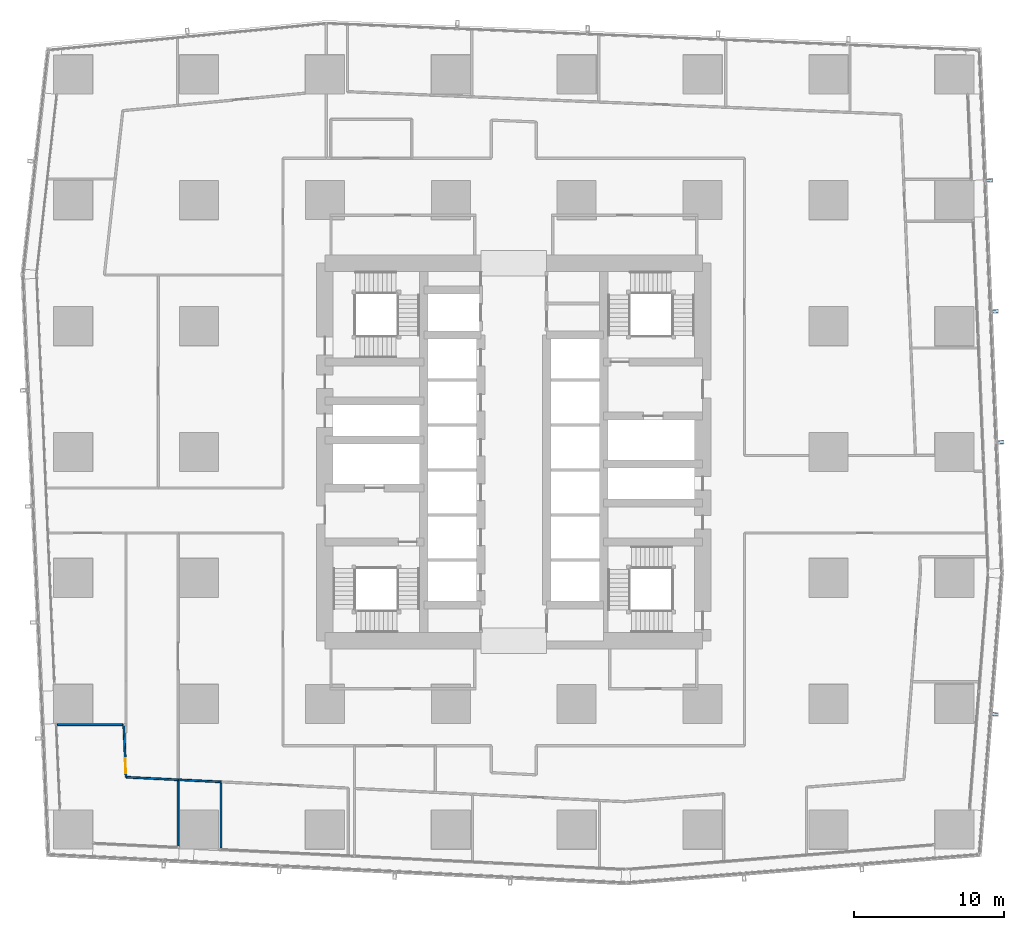
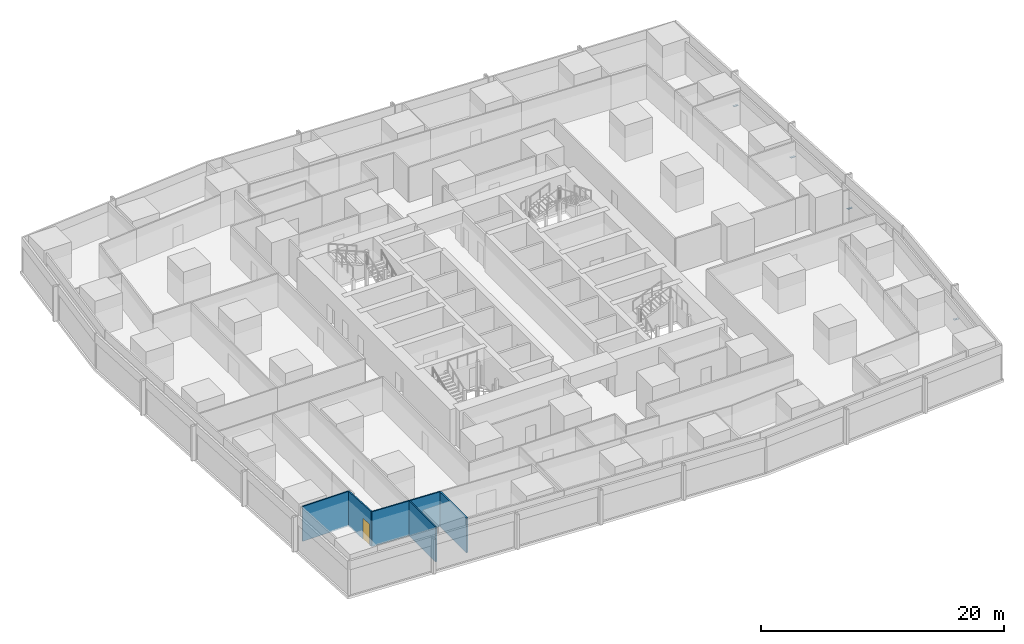
# One storey, part 33 of 46: 6 walls, 4 plates, 1 door, 1 opening.
"""IFC4 building model written with IfcOpenShell, lengths in metres."""

import ifcopenshell
import ifcopenshell.guid

model = None  # the IFC model being written
_history = None  # IfcOwnerHistory: only IFC2X3 demands one
_inside = {}  # id of a spatial element -> (the spatial element, [elements in it])
_under = {}  # id of a project, library or spatial element -> (it, [spatial elements below it])
_declared = {}  # id of a project -> (the project, [libraries it declares])
_typed = {}  # id of a type object -> (the type object, [elements of that type])
_made_of = {}  # id of a material, layer set ... -> (it, [elements and type objects made of it])


def new_model(schema):
    """Start an empty IFC model of exactly this schema.

    Asked for "IFC4X3", IfcOpenShell would pick the latest addendum, in which some entities
    have other attributes; the version numbers below select the first issue.
    IFC2X3 requires an IfcOwnerHistory on every rooted entity: one is made here for all.
    """
    global model, _history
    if schema == "IFC4X3":
        model = ifcopenshell.file(schema_version=(4, 3, 0, 0))
    else:
        model = ifcopenshell.file(schema=schema)
    _inside.clear()
    _under.clear()
    _declared.clear()
    _typed.clear()
    _made_of.clear()
    _history = None
    if model.schema == "IFC2X3":
        org = make("IfcOrganization", Name="unknown")
        user = make(
            "IfcPersonAndOrganization",
            ThePerson=make("IfcPerson", FamilyName="unknown"),
            TheOrganization=org,
        )
        app = make(
            "IfcApplication",
            ApplicationDeveloper=org,
            Version="unknown",
            ApplicationFullName="unknown",
            ApplicationIdentifier="unknown",
        )
        _history = make(
            "IfcOwnerHistory",
            OwningUser=user,
            OwningApplication=app,
            ChangeAction="ADDED",
            CreationDate=0,
        )
    return model


def make(cls, **values):
    """One entity of the class cls with the attributes given. An attribute that is None is left unset."""
    return model.create_entity(
        cls, **{name: value for name, value in values.items() if value is not None}
    )


def rooted(cls, **values):
    """An entity with a GlobalId (a new one), such as an element, a storey or a relation."""
    return make(cls, GlobalId=ifcopenshell.guid.new(), OwnerHistory=_history, **values)


def si_unit(unit_type, name, prefix=None):
    """IfcSIUnit, for example si_unit("LENGTHUNIT", "METRE", prefix="MILLI")."""
    return make("IfcSIUnit", UnitType=unit_type, Prefix=prefix, Name=name)


def assignment(units):
    """IfcUnitAssignment: the units of a project."""
    return None if units is None else make("IfcUnitAssignment", Units=units)


def point(xyz):
    """IfcCartesianPoint."""
    return None if xyz is None else make("IfcCartesianPoint", Coordinates=xyz)


def direction(xyz):
    """IfcDirection."""
    return None if xyz is None else make("IfcDirection", DirectionRatios=xyz)


def frame(location, z_axis=None, x_axis=None):
    """IfcAxis2Placement3D, a coordinate frame: its origin and axes. An axis left out is left unset."""
    return make(
        "IfcAxis2Placement3D",
        Location=point(location),
        Axis=direction(z_axis),
        RefDirection=direction(x_axis),
    )


def frame_2d(location, x_axis=None):
    """IfcAxis2Placement2D, a coordinate frame in the plane: its origin and x axis."""
    return make(
        "IfcAxis2Placement2D", Location=point(location), RefDirection=direction(x_axis)
    )


def origin():
    """The frame at (0, 0, 0) with its axes left unset."""
    return frame((0.0, 0.0, 0.0))


def origin_2d():
    """The frame at (0, 0) in the plane with its x axis left unset."""
    return frame_2d((0.0, 0.0))


def place(relative_to, where):
    """IfcLocalPlacement: puts the frame where relative to a parent placement (None: the world)."""
    return make(
        "IfcLocalPlacement", PlacementRelTo=relative_to, RelativePlacement=where
    )


def context(
    kind, dimensions, precision=None, world=None, true_north=None, identifier=None
):
    """IfcGeometricRepresentationContext, for example the 3D "Model" context."""
    return make(
        "IfcGeometricRepresentationContext",
        ContextIdentifier=identifier,
        ContextType=kind,
        CoordinateSpaceDimension=dimensions,
        Precision=precision,
        WorldCoordinateSystem=world,
        TrueNorth=true_north,
    )


def subcontext(parent, identifier, kind, view, scale=None):
    """IfcGeometricRepresentationSubContext, for example "Body" below "Model"."""
    return make(
        "IfcGeometricRepresentationSubContext",
        ContextIdentifier=identifier,
        ContextType=kind,
        ParentContext=parent,
        TargetScale=scale,
        TargetView=view,
    )


def project(units=None, contexts=None):
    """IfcProject with its units and contexts."""
    return rooted(
        "IfcProject",
        Name="project",
        RepresentationContexts=contexts,
        UnitsInContext=assignment(units),
    )


def spatial(cls, under=None, at=None, **own):
    """A site, building, storey or space (cls), placed at a placement, below another one or the project."""
    s = rooted(cls, ObjectPlacement=at, **own)
    if under is not None:
        _under.setdefault(under.id(), (under, []))[1].append(s)
    return s


def profile(cls, at=None, kind="AREA", **sizes):
    """A parametric profile (cls). Its sizes go by their IFC names, for example OverallWidth=200.0."""
    return make(cls, ProfileType=kind, Position=at, **sizes)


def rectangle(**sizes):
    """IfcRectangleProfileDef."""
    return profile("IfcRectangleProfileDef", **sizes)


def extrude(swept, where, along, depth):
    """IfcExtrudedAreaSolid: the profile swept, set in the frame where, extruded along a direction by depth."""
    return make(
        "IfcExtrudedAreaSolid",
        SweptArea=swept,
        Position=where,
        ExtrudedDirection=direction(along),
        Depth=depth,
    )


def shape(context_of_items, identifier, shape_type, items):
    """IfcShapeRepresentation: the items that make up one representation, for example the "Body"."""
    return make(
        "IfcShapeRepresentation",
        ContextOfItems=context_of_items,
        RepresentationIdentifier=identifier,
        RepresentationType=shape_type,
        Items=items,
    )


def material(Name=None, Category=None):
    """IfcMaterial."""
    return make("IfcMaterial", Name=Name, Category=Category)


def layer(
    of_material, thickness, ventilated=None, Name=None, Category=None, Priority=None
):
    """IfcMaterialLayer: one layer of a wall or slab, of a material (None: an air gap)."""
    return make(
        "IfcMaterialLayer",
        Material=of_material,
        LayerThickness=thickness,
        IsVentilated=ventilated,
        Name=Name,
        Category=Category,
        Priority=Priority,
    )


def layer_set(layers, Name=None):
    """IfcMaterialLayerSet."""
    return make("IfcMaterialLayerSet", MaterialLayers=layers, LayerSetName=Name)


def made_of(thing, what):
    """Note that an element or type object is made of a material, layer set ...; save() writes the relation."""
    if what is not None:
        _made_of.setdefault(what.id(), (what, []))[1].append(thing)
    return thing


def type_object(cls, material=None, **own):
    """A type object (cls), such as IfcWallType, which elements share."""
    return made_of(rooted(cls, **own), material)


def element(
    cls,
    number,
    at=None,
    inside=None,
    cuts=None,
    type_object=None,
    material=None,
    context=None,
    identifier="Body",
    shape_type=None,
    held_by="IfcProductDefinitionShape",
    body=None,
    shapes=None,
    **own,
):
    """One element of the class cls, such as IfcWall. Its Tag is "e" and its number.

    at: its placement. inside: the storey or other place that contains it. cuts: it is an
    opening in that element (IfcRelVoidsElement). A single representation is given by context,
    identifier, shape_type and body (its items); several are given by shapes. held_by: the class
    of the entity that holds the representations. save() writes the other relations.
    """
    e = rooted(cls, Tag="e%d" % number, ObjectPlacement=at, **own)
    if body is not None:
        shapes = [shape(context, identifier, shape_type, body)]
    if shapes is not None:
        e.Representation = make(held_by, Representations=shapes)
    if inside is not None:
        _inside.setdefault(inside.id(), (inside, []))[1].append(e)
    if cuts is not None:
        rooted(
            "IfcRelVoidsElement", RelatingBuildingElement=cuts, RelatedOpeningElement=e
        )
    if type_object is not None:
        _typed.setdefault(type_object.id(), (type_object, []))[1].append(e)
    return made_of(e, material)


def fill(opening, filler):
    """IfcRelFillsElement: the door or window that sits in an opening."""
    return rooted(
        "IfcRelFillsElement",
        RelatingOpeningElement=opening,
        RelatedBuildingElement=filler,
    )


def aggregate(whole, parts):
    """IfcRelAggregates: a whole, such as a stair, and the parts it consists of."""
    return rooted("IfcRelAggregates", RelatingObject=whole, RelatedObjects=parts)


def save(model, path):
    """Write the relations noted so far, then the file.

    IfcRelAggregates (storeys below a building ...), IfcRelContainedInSpatialStructure (elements
    in a storey), IfcRelDefinesByType, IfcRelAssociatesMaterial and IfcRelDeclares: one each for
    every whole, place, type object, material and project.
    """
    for whole, parts in _under.values():
        aggregate(whole, parts)
    for where, things in _inside.values():
        rooted(
            "IfcRelContainedInSpatialStructure",
            RelatedElements=things,
            RelatingStructure=where,
        )
    for kind, things in _typed.values():
        rooted("IfcRelDefinesByType", RelatedObjects=things, RelatingType=kind)
    for what, things in _made_of.values():
        rooted("IfcRelAssociatesMaterial", RelatedObjects=things, RelatingMaterial=what)
    for by, libraries in _declared.values():
        rooted("IfcRelDeclares", RelatingContext=by, RelatedDefinitions=libraries)
    model.write(path)


model = new_model("IFC4")

# Units and contexts
model_context = context("Model", 3, precision=1e-05, world=origin(), true_north=direction((0.0, 1.0)))
body_context = subcontext(model_context, "Body", "Model", "MODEL_VIEW")
ifc_project = project(units=[si_unit("LENGTHUNIT", "METRE"), si_unit("AREAUNIT", "SQUARE_METRE"), si_unit("VOLUMEUNIT", "CUBIC_METRE"), si_unit("PLANEANGLEUNIT", "RADIAN"), si_unit("MASSUNIT", "GRAM", prefix="KILO")], contexts=[model_context])

# Site, building, storey
site_placement = place(None, origin())
site = spatial("IfcSite", under=ifc_project, at=site_placement, CompositionType="ELEMENT")
building_placement = place(site_placement, origin())
building = spatial("IfcBuilding", under=site, at=building_placement, Name="Rekha Terrace Tower", CompositionType="ELEMENT")
storey_placement = place(building_placement, frame((0.0, 0.0, 29.14990234375)))
storey = spatial("IfcBuildingStorey", under=building, at=storey_placement, Name="L06", CompositionType="ELEMENT", Elevation=29.14990234375)

# Plates
ifc_material_1 = material(Name="Steel S355 fixing plate bolted to the slab", Category="steel")
ifc_layer_1 = layer(ifc_material_1, 0.02001953125)
ifc_layer_set_1 = layer_set([ifc_layer_1], Name="Steel S355 fixing plate bolted to the slab")
plate_type = type_object("IfcPlateType", Name="BL2 blade bracket plate 200 x 20", PredefinedType="USERDEFINED", material=ifc_layer_set_1)
for number, where, z_axis, x_axis, name in (
    (1, (69.91455078125, 16.100341796875, 0.0), (0.0, 0.0, 1.0), (0.996865354614, -0.079116779322, 0.0), "Blade bracket"),
    (2, (70.2861328125, 34.25244140625, 0.0), (0.0, 0.0, 1.0), (0.99908814315, 0.04269522475, 0.0), "Blade bracket"),
    (3, (69.912841796875, 42.98828125, 0.0), (0.0, 0.0, 1.0), (0.99908814315, 0.04269522475, 0.0), "Blade bracket"),
    (4, (69.53955078125, 51.72412109375, 0.0), (0.0, 0.0, 1.0), (0.99908814315, 0.04269522475, 0.0), "Blade bracket"),
):
    element("IfcPlate", number, at=place(storey_placement, frame(where, z_axis=z_axis, x_axis=x_axis)), inside=storey, type_object=plate_type, Name=name, ObjectType="BLADE BRACKET", PredefinedType="USERDEFINED", context=body_context, shape_type="SweptSolid", body=[
        extrude(rectangle(XDim=0.429931640625, YDim=0.199951171875, at=origin_2d()), origin(), (0.0, 0.0, 1.0), 0.02001953125),
    ])

# Walls
ifc_material_2 = material(Name="Concrete block masonry, 1 hour", Category="masonry")
ifc_layer_2 = layer(ifc_material_2, 0.14990234375)
ifc_layer_set_2 = layer_set([ifc_layer_2], Name="Concrete block masonry, 1 hour")
wall_type_1 = type_object("IfcWallType", Name="WP2 150 tenancy partition", PredefinedType="PARTITIONING", material=ifc_layer_set_2)
wall_1_placement = place(storey_placement, frame((18.27490234375, 11.530029296875, 0.0), z_axis=(0.0, 0.0, 1.0), x_axis=(0.0, -1.0, 0.0)))
element("IfcWall", 5, at=wall_1_placement, inside=storey, type_object=wall_type_1, Name="Partition L06-O5", PredefinedType="PARTITIONING", context=body_context, shape_type="SweptSolid", body=[
    extrude(rectangle(XDim=4.362060546875, YDim=0.14990234375, at=frame_2d((2.18115234375, 0.0))), origin(), (0.0, 0.0, 1.0), 3.5),
])
ifc_material_3 = material(Name="Two layers of fire-rated gypsum board each side on steel studs, acoustic quilt, 1 hour", Category="steel")
ifc_layer_3 = layer(ifc_material_3, 0.125)
ifc_layer_set_3 = layer_set([ifc_layer_3], Name="Two layers of fire-rated gypsum board each side on steel studs, acoustic quilt, 1 hour")
wall_type_2 = type_object("IfcWallType", Name="WP3 125 office partition", PredefinedType="PARTITIONING", material=ifc_layer_set_3)
wall_2_placement = place(storey_placement, frame((7.35595703125, 15.407958984375, 0.0), z_axis=(0.0, 0.0, 1.0), x_axis=(1.0, 0.0, 0.0)))
element("IfcWall", 6, at=wall_2_placement, inside=storey, type_object=wall_type_2, Name="Partition L06-12", PredefinedType="PARTITIONING", context=body_context, shape_type="SweptSolid", body=[
    extrude(rectangle(XDim=4.362060546875, YDim=0.125, at=frame_2d((2.18115234375, 0.0))), origin(), (0.0, 0.0, 1.0), 3.5),
])

# Wall, opening, door
wall_3_placement = place(storey_placement, frame((11.779052734375, 15.443115234375, 0.0), z_axis=(0.0, 0.0, 1.0), x_axis=(0.043763219262, -0.999041931372, 0.0)))
wall_3 = element("IfcWall", 7, at=wall_3_placement, inside=storey, type_object=wall_type_2, Name="Partition L06-12", PredefinedType="PARTITIONING", context=body_context, shape_type="SweptSolid", body=[
    extrude(rectangle(XDim=3.54248046875, YDim=0.125, at=frame_2d((1.771240234375, 0.0))), origin(), (0.0, 0.0, 1.0), 3.5),
])
opening_placement = place(wall_3_placement, frame((2.27099609375, 0.0, 0.0)))
opening = element("IfcOpeningElement", 8, at=opening_placement, cuts=wall_3, Name="Opening D9", PredefinedType="OPENING", context=body_context, shape_type="SweptSolid", body=[
    extrude(rectangle(XDim=1.0, YDim=2.10009765625, at=frame_2d((0.5, 1.050048828125))), frame((0.0, 0.072509765625, 0.0), z_axis=(0.0, -1.0, 0.0), x_axis=(1.0, 0.0, 0.0)), (0.0, 0.0, 1.0), 0.14501953125),
])
ifc_material_4 = material(Name="Timber fire door", Category="wood")
door_type = type_object("IfcDoorType", Name="D9 1000x2100 office door", OperationType="SINGLE_SWING_LEFT", PredefinedType="DOOR", material=ifc_material_4)
door_placement = place(opening_placement, origin())
door = element("IfcDoor", 9, at=door_placement, inside=storey, type_object=door_type, Name="Door manager's office L06", OperationType="SINGLE_SWING_LEFT", OverallHeight=2.10009765625, OverallWidth=1.0, PredefinedType="DOOR", context=body_context, shape_type="SweptSolid", body=[
    extrude(rectangle(XDim=1.0, YDim=2.10009765625, at=frame_2d((0.5, 1.050048828125))), frame((0.0, 0.02490234375, 0.0), z_axis=(0.0, -1.0, 0.0), x_axis=(1.0, 0.0, 0.0)), (0.0, 0.0, 1.0), 0.050048828125),
])
fill(opening, door)

# Walls
wall_4_placement = place(storey_placement, frame((11.93408203125, 11.904052734375, 0.0), z_axis=(0.0, 0.0, 1.0), x_axis=(0.998798365868, -0.049008410909, 0.0)))
element("IfcWall", 10, at=wall_4_placement, inside=storey, type_object=wall_type_2, Name="Partition L06-12", PredefinedType="PARTITIONING", context=body_context, shape_type="SweptSolid", body=[
    extrude(rectangle(XDim=3.511962890625, YDim=0.125, at=frame_2d((1.755859375, 0.0))), origin(), (0.0, 0.0, 1.0), 3.5),
])
wall_5_placement = place(storey_placement, frame((15.407958984375, 11.6708984375, 0.0), z_axis=(0.0, 0.0, 1.0), x_axis=(0.0, -1.0, 0.0)))
element("IfcWall", 11, at=wall_5_placement, inside=storey, type_object=wall_type_2, Name="Partition L06-12", PredefinedType="PARTITIONING", context=body_context, shape_type="SweptSolid", body=[
    extrude(rectangle(XDim=4.36181640625, YDim=0.125, at=frame_2d((2.180908203125, 0.0))), origin(), (0.0, 0.0, 1.0), 3.5),
])
wall_6_placement = place(storey_placement, frame((15.443115234375, 11.73193359375, 0.0), z_axis=(0.0, 0.0, 1.0), x_axis=(0.998798096744, -0.04901389539, 0.0)))
element("IfcWall", 12, at=wall_6_placement, inside=storey, type_object=wall_type_2, Name="Partition L06-13", PredefinedType="PARTITIONING", context=body_context, shape_type="SweptSolid", body=[
    extrude(rectangle(XDim=2.834228515625, YDim=0.125, at=frame_2d((1.4169921875, 0.0))), origin(), (0.0, 0.0, 1.0), 3.5),
])

save(model, "model.ifc")
